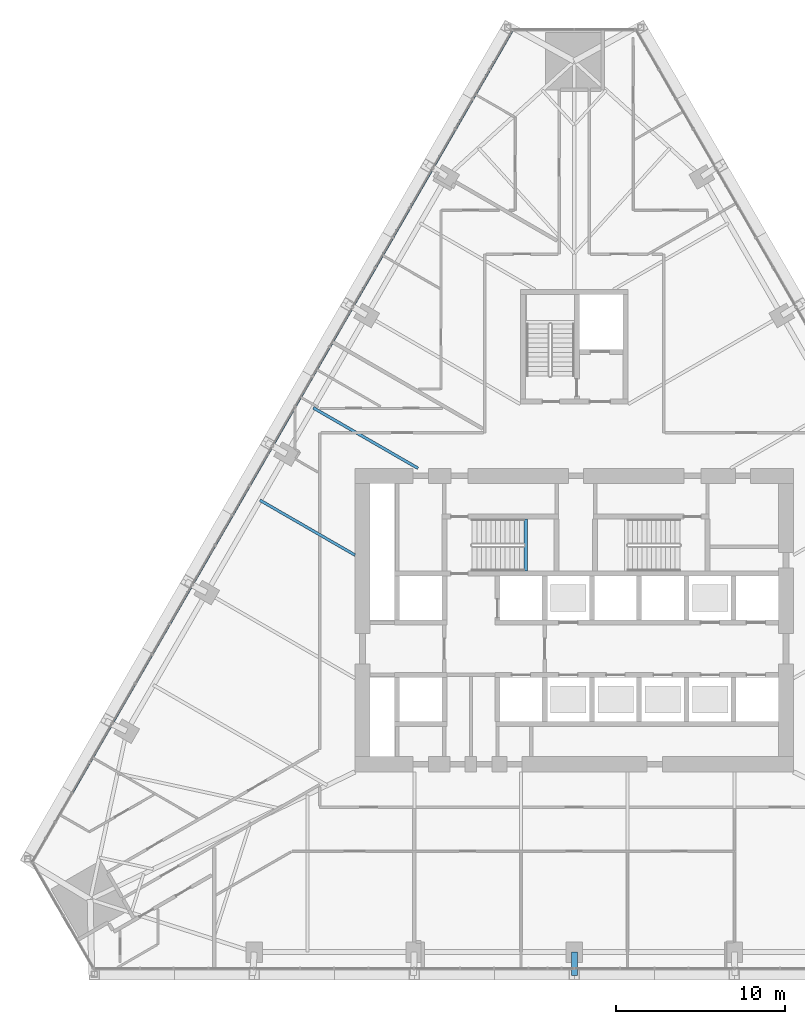
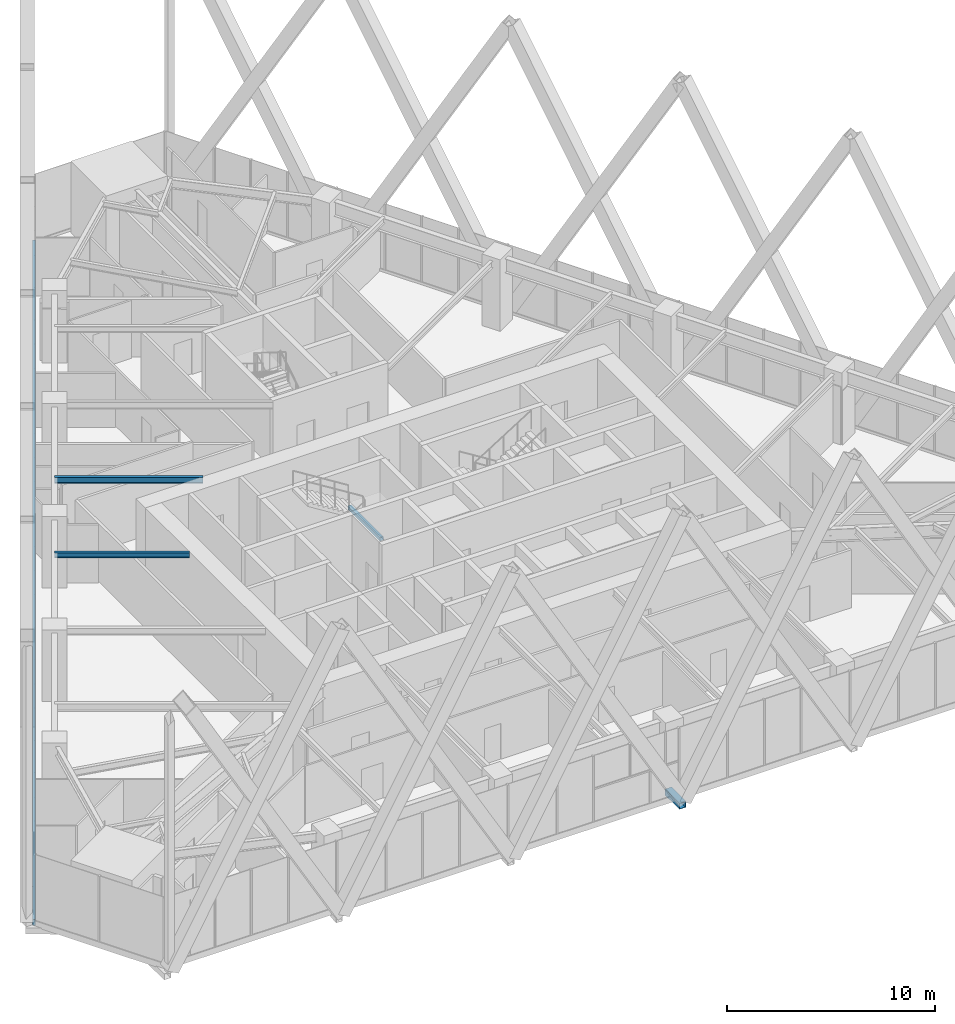
# One storey, part 4 of 21: 3 beams, 2 members, 1 element without a shape of its own.
"""IFC4 building model written with IfcOpenShell, lengths in metres."""

from ifc_helpers import new_model, si_unit, direction, frame, origin, origin_2d, place, context, subcontext, project, spatial, rectangle, hollow_rectangle, i_section, extrude, material, layer, layer_set, material_profile, profile_set, type_object, element, aggregate, save


model = new_model("IFC4")

# Units and contexts
model_context = context("Model", 3, precision=1e-05, world=origin(), true_north=direction((0.0, 1.0)))
body_context = subcontext(model_context, "Body", "Model", "MODEL_VIEW")
ifc_project = project(units=[si_unit("LENGTHUNIT", "METRE"), si_unit("AREAUNIT", "SQUARE_METRE"), si_unit("VOLUMEUNIT", "CUBIC_METRE"), si_unit("PLANEANGLEUNIT", "RADIAN"), si_unit("MASSUNIT", "GRAM", prefix="KILO")], contexts=[model_context])

# Site, building, storey
site_placement = place(None, origin())
site = spatial("IfcSite", under=ifc_project, at=site_placement, CompositionType="ELEMENT")
building_placement = place(site_placement, origin())
building = spatial("IfcBuilding", under=site, at=building_placement, Name="Firuza Gate Tower and Library", CompositionType="ELEMENT")
storey_placement = place(building_placement, frame((0.0, 0.0, 73.60009765625)))
storey = spatial("IfcBuildingStorey", under=building, at=storey_placement, Name="L16", CompositionType="ELEMENT", Elevation=73.60009765625)

# Curtain wall, member
ifc_material_1 = material(Name="Aluminium 6063-T6", Category="aluminium")
ifc_layer = layer(ifc_material_1, 0.14990234375)
ifc_layer_set = layer_set([ifc_layer], Name="Unitised curtain wall, offices")
curtain_wall_type = type_object("IfcCurtainWallType", Name="Unitised curtain wall, offices", PredefinedType="NOTDEFINED", material=ifc_layer_set)
curtain_wall_placement = place(storey_placement, origin())
curtain_wall = element("IfcCurtainWall", 1, at=curtain_wall_placement, inside=storey, type_object=curtain_wall_type, Name="CW1 L16 W face", PredefinedType="NOTDEFINED")
ifc_material_2 = material(Name="Aluminium 6063-T6", Category="aluminium")
ifc_material_profile_1 = material_profile(ifc_material_2, rectangle(XDim=0.14990234375, YDim=0.35009765625, at=origin_2d()))
ifc_profile_set_1 = profile_set([ifc_material_profile_1], Name="Aluminium 6063-T6")
member_type_1 = type_object("IfcMemberType", Name="Curtain wall transom 350x150", PredefinedType="USERDEFINED", material=ifc_profile_set_1)
member_1_placement = place(storey_placement, frame((71.356689453125, 110.011474609375, -0.025146484375), z_axis=(-0.500000903099, -0.86602488238, 0.0), x_axis=(0.86602488238, -0.500000903099, 0.0)))
member_1 = element("IfcMember", 2, at=member_1_placement, type_object=member_type_1, Name="Transom", ObjectType="TRANSOM", PredefinedType="USERDEFINED", context=body_context, shape_type="SweptSolid", body=[
    extrude(rectangle(XDim=0.14990234375, YDim=0.35009765625, at=origin_2d()), origin(), (0.0, 0.0, 1.0), 56.99853515625),
])
aggregate(curtain_wall, [member_1])

# Member
ifc_material_3 = material(Name="Steel S355", Category="steel")
ifc_material_profile_2 = material_profile(ifc_material_3, hollow_rectangle(XDim=0.355712890625, YDim=0.355712890625, WallThickness=0.014892578125, at=origin_2d()))
ifc_profile_set_2 = profile_set([ifc_material_profile_2], Name="Steel S355")
member_type_2 = type_object("IfcMemberType", Name="HSS356x356x16 Lattice node tie", PredefinedType="BRACE", material=ifc_profile_set_2)
member_2_placement = place(storey_placement, frame((75.0, 55.31396484375, -0.320068359375), z_axis=(0.0, -1.0, 0.0), x_axis=(1.0, 0.0, 0.0)))
element("IfcMember", 3, at=member_2_placement, inside=storey, type_object=member_type_2, Name="Lattice node tie S L16 53", PredefinedType="BRACE", context=body_context, shape_type="SweptSolid", body=[
    extrude(hollow_rectangle(XDim=0.355712890625, YDim=0.355712890625, WallThickness=0.014892578125, at=origin_2d()), origin(), (0.0, 0.0, 1.0), 1.385009765625),
])

# Beams
ifc_material_4 = material(Name="Concrete C35/45", Category="concrete")
ifc_material_profile_3 = material_profile(ifc_material_4, rectangle(XDim=0.199951171875, YDim=0.199951171875, at=origin_2d()))
ifc_profile_set_3 = profile_set([ifc_material_profile_3], Name="Concrete C35/45")
beam_type_1 = type_object("IfcBeamType", Name="Stair landing bearer 200x200", PredefinedType="BEAM", material=ifc_profile_set_3)
beam_1_placement = place(storey_placement, frame((72.1201171875, 77.89990234375, 1.7998046875), z_axis=(0.0, 1.0, 0.0), x_axis=(-1.0, 0.0, 0.0)))
element("IfcBeam", 4, at=beam_1_placement, inside=storey, type_object=beam_type_1, Name="Landing bearer L16 stair 1", PredefinedType="BEAM", context=body_context, shape_type="SweptSolid", body=[
    extrude(rectangle(XDim=0.199951171875, YDim=0.199951171875, at=origin_2d()), origin(), (0.0, 0.0, 1.0), 3.080078125),
])
ifc_material_5 = material(Name="Steel S355", Category="steel")
ifc_material_profile_4 = material_profile(ifc_material_5, i_section(OverallWidth=0.1650390625, OverallDepth=0.31005859375, WebThickness=0.005859375, FlangeThickness=0.009765625, at=origin_2d()))
ifc_profile_set_4 = profile_set([ifc_material_profile_4], Name="Steel S355")
beam_type_2 = type_object("IfcBeamType", Name="W310x39 Floor beam", PredefinedType="JOIST", material=ifc_profile_set_4)
beam_2_placement = place(storey_placement, frame((56.37060546875, 82.104736328125, 3.844970703125), z_axis=(0.866034226713, -0.499984717929, 0.0), x_axis=(0.499984717929, 0.866034226713, 0.0)))
element("IfcBeam", 5, at=beam_2_placement, inside=storey, type_object=beam_type_2, Name="Floor beam L16 s83", PredefinedType="JOIST", context=body_context, shape_type="SweptSolid", body=[
    extrude(i_section(OverallWidth=0.1650390625, OverallDepth=0.31005859375, WebThickness=0.005859375, FlangeThickness=0.009765625, at=origin_2d()), origin(), (0.0, 0.0, 1.0), 6.500244140625),
])
ifc_material_6 = material(Name="Steel S355", Category="steel")
ifc_material_profile_5 = material_profile(ifc_material_6, i_section(OverallWidth=0.1708984375, OverallDepth=0.35498046875, WebThickness=0.007080078125, FlangeThickness=0.01171875, at=origin_2d()))
ifc_profile_set_5 = profile_set([ifc_material_profile_5], Name="Steel S355")
beam_type_3 = type_object("IfcBeamType", Name="W360x51 Floor beam", PredefinedType="JOIST", material=ifc_profile_set_5)
beam_3_placement = place(storey_placement, frame((59.532470703125, 87.5810546875, 3.822509765625), z_axis=(0.866027779288, -0.499995885484, 0.0), x_axis=(0.499995885484, 0.866027779288, 0.0)))
element("IfcBeam", 6, at=beam_3_placement, inside=storey, type_object=beam_type_3, Name="Floor beam L16 s82", PredefinedType="JOIST", context=body_context, shape_type="SweptSolid", body=[
    extrude(i_section(OverallWidth=0.1708984375, OverallDepth=0.35498046875, WebThickness=0.007080078125, FlangeThickness=0.01171875, at=origin_2d()), origin(), (0.0, 0.0, 1.0), 7.162109375),
])

save(model, "model.ifc")
